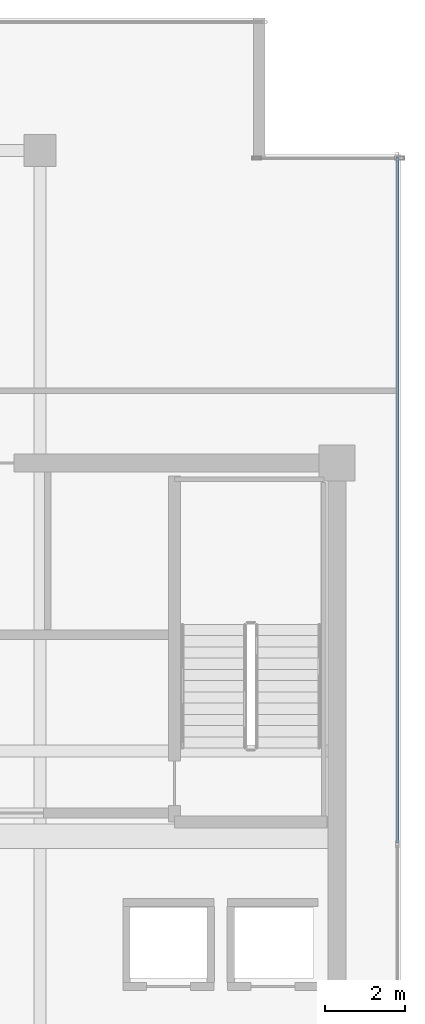
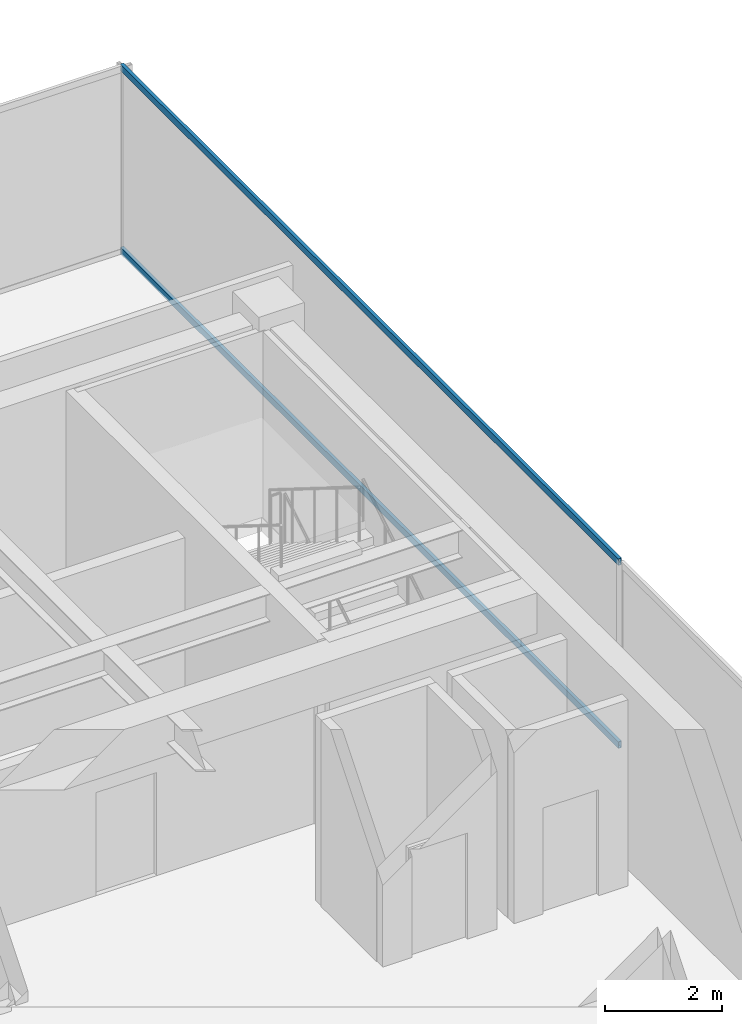
# One storey, part 18 of 31: 2 members, 1 element without a shape of its own.
"""IFC4 building model written with IfcOpenShell, lengths in metres."""

from ifc_helpers import new_model, si_unit, direction, frame, origin, origin_2d, place, context, subcontext, project, spatial, hollow_rectangle, extrude, source, transform, mapped, material, layer, layer_set, material_profile, profile_set, type_object, type_shapes, element, aggregate, save


model = new_model("IFC4")

# Units and contexts
model_context = context("Model", 3, precision=1e-05, world=origin(), true_north=direction((0.0, 1.0)))
body_context = subcontext(model_context, "Body", "Model", "MODEL_VIEW")
ifc_project = project(units=[si_unit("LENGTHUNIT", "METRE"), si_unit("AREAUNIT", "SQUARE_METRE"), si_unit("VOLUMEUNIT", "CUBIC_METRE"), si_unit("PLANEANGLEUNIT", "RADIAN"), si_unit("MASSUNIT", "GRAM", prefix="KILO")], contexts=[model_context])

# Site, building, storey
site_placement = place(None, origin())
site = spatial("IfcSite", under=ifc_project, at=site_placement, CompositionType="ELEMENT")
building_placement = place(site_placement, origin())
building = spatial("IfcBuilding", under=site, at=building_placement, Name="Haelvirn Gate Laboratories", CompositionType="ELEMENT")
storey_placement = place(building_placement, frame((0.0, 0.0, 318.60009765625)))
storey = spatial("IfcBuildingStorey", under=building, at=storey_placement, Name="L76", CompositionType="ELEMENT", Elevation=318.60009765625)

# Curtain wall, members
ifc_material_1 = material(Name="Anodised bronze unitised aluminium & triple low-E glass", Category="aluminium")
ifc_layer = layer(ifc_material_1, 0.176025390625, Name="CW-SYS-4")
ifc_layer_set = layer_set([ifc_layer], Name="Anodised bronze unitised aluminium & triple low-E glass")
curtain_wall_type = type_object("IfcCurtainWallType", Name="CW-SYS-4", PredefinedType="NOTDEFINED", material=ifc_layer_set)
curtain_wall_placement = place(storey_placement, origin())
curtain_wall = element("IfcCurtainWall", 1, at=curtain_wall_placement, inside=storey, type_object=curtain_wall_type, Name="L76 Unitised Curtain Wall CW-L76-P0-E07", PredefinedType="NOTDEFINED")
ifc_material_2 = material(Name="Extruded aluminium 6063-T6 (anodised bronze)", Category="aluminium")
ifc_material_profile = material_profile(ifc_material_2, hollow_rectangle(XDim=0.06494140625, YDim=0.139892578125, WallThickness=0.00390625, at=origin_2d()), Name="CWT-140x65x4")
ifc_profile_set = profile_set([ifc_material_profile], Name="Extruded aluminium 6063-T6 (anodised bronze)")
member_type = type_object("IfcMemberType", Name="CWT-T140", PredefinedType="USERDEFINED", material=ifc_profile_set)
shared_shape = source(origin(), body_context, "Body", "SweptSolid", [
    extrude(hollow_rectangle(XDim=0.06494140625, YDim=0.139892578125, WallThickness=0.00390625, at=origin_2d()), origin(), (0.0, 0.0, 1.0), 17.094970703125),
])
type_shapes(member_type, [shared_shape])
member_1_placement = place(storey_placement, frame((68.89990234375, 24.3349609375, 0.032470703125), z_axis=(0.0, 1.0, 0.0), x_axis=(-1.0, 0.0, 0.0)))
member_1 = element("IfcMember", 2, at=member_1_placement, type_object=member_type, Name="CW4 transom 2.1", ObjectType="TRANSOM", PredefinedType="USERDEFINED", context=body_context, shape_type="MappedRepresentation", body=[
    mapped(shared_shape, transform((0.0, 0.0, 0.0), scale=1.0)),
])
member_2_placement = place(storey_placement, frame((68.89990234375, 24.3349609375, 3.867431640625), z_axis=(0.0, 1.0, 0.0), x_axis=(-1.0, 0.0, 0.0)))
member_2 = element("IfcMember", 3, at=member_2_placement, type_object=member_type, Name="CW4 transom 2.2", ObjectType="TRANSOM", PredefinedType="USERDEFINED", context=body_context, shape_type="MappedRepresentation", body=[
    mapped(shared_shape, transform((0.0, 0.0, 0.0), scale=1.0)),
])
aggregate(curtain_wall, [member_1, member_2])

save(model, "model.ifc")
